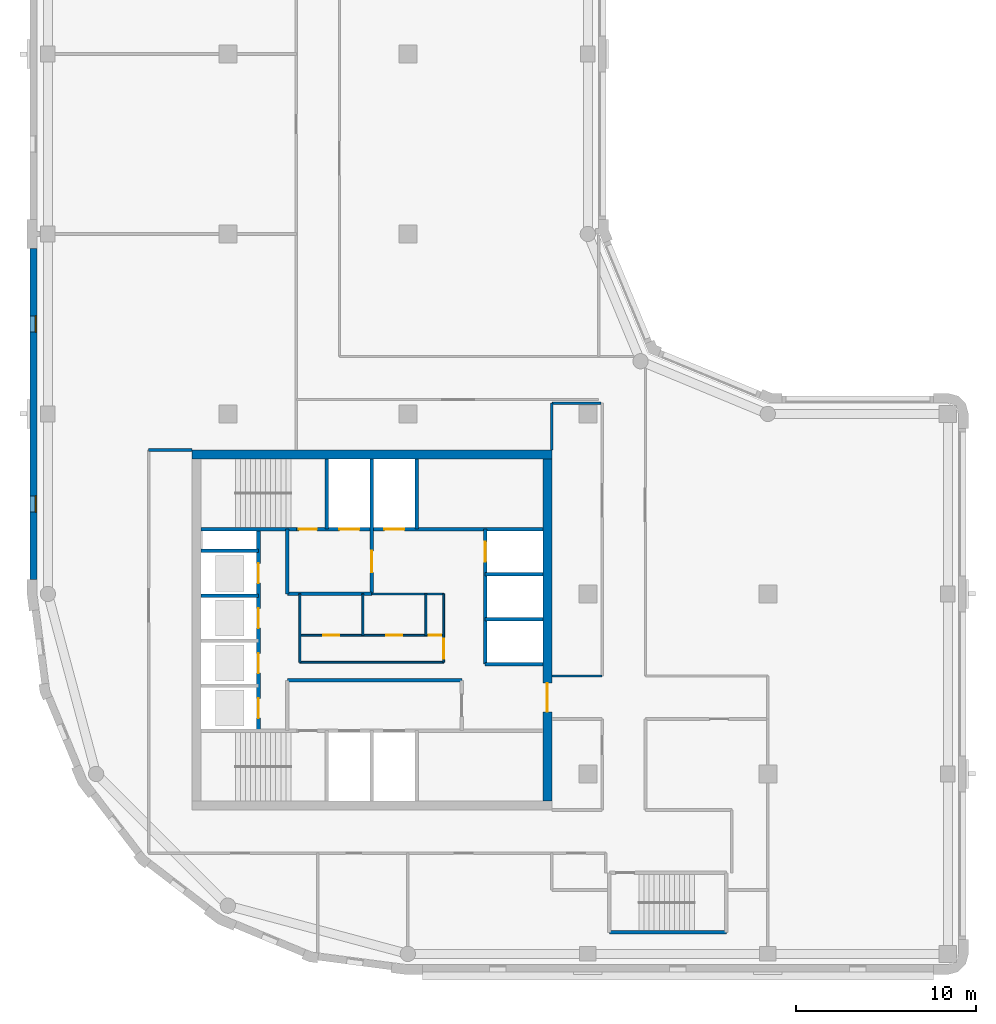
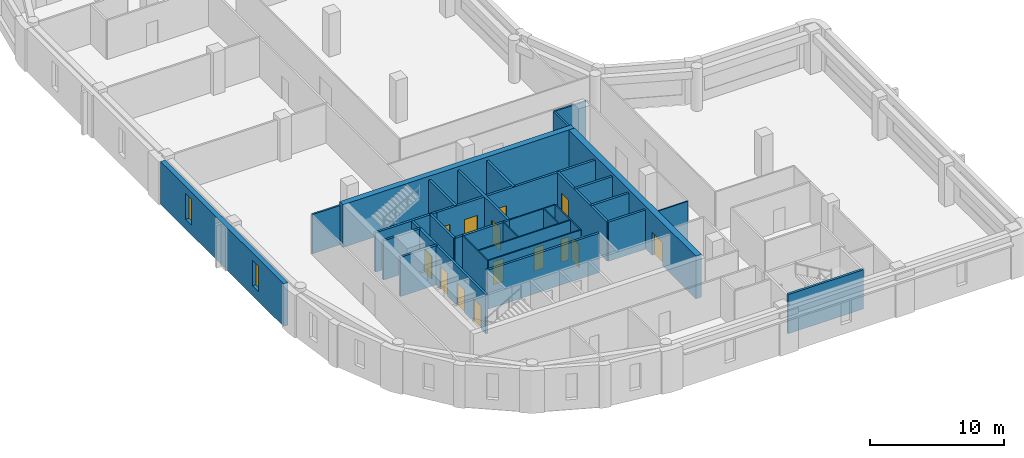
# One storey, part 3 of 9: 30 walls, 14 doors, 2 windows, 16 openings.
"""IFC4 building model written with IfcOpenShell, lengths in metres."""

from ifc_helpers import new_model, si_unit, direction, frame, frame_2d, origin, place, context, subcontext, project, spatial, rectangle, extrude, material, layer, layer_set, type_object, element, fill, save


model = new_model("IFC4")

# Units and contexts
model_context = context("Model", 3, precision=1e-05, world=origin(), true_north=direction((0.0, 1.0)))
body_context = subcontext(model_context, "Body", "Model", "MODEL_VIEW")
ifc_project = project(units=[si_unit("LENGTHUNIT", "METRE"), si_unit("AREAUNIT", "SQUARE_METRE"), si_unit("VOLUMEUNIT", "CUBIC_METRE"), si_unit("PLANEANGLEUNIT", "RADIAN"), si_unit("MASSUNIT", "GRAM", prefix="KILO")], contexts=[model_context])

# Site, building, storey
site_placement = place(None, origin())
site = spatial("IfcSite", under=ifc_project, at=site_placement, CompositionType="ELEMENT")
building_placement = place(site_placement, origin())
building = spatial("IfcBuilding", under=site, at=building_placement, Name="Qaws Garden Tower", CompositionType="ELEMENT")
storey_placement = place(building_placement, frame((0.0, 0.0, 251.39990234375)))
storey = spatial("IfcBuildingStorey", under=building, at=storey_placement, Name="L60", CompositionType="ELEMENT", Elevation=251.39990234375)

# Wall, openings, windows
ifc_material_1 = material(Name="Clay facing brick masonry", Category="masonry")
ifc_layer_1 = layer(ifc_material_1, 0.39990234375)
ifc_layer_set_1 = layer_set([ifc_layer_1], Name="Clay facing brick masonry")
wall_type_1 = type_object("IfcWallType", Name="Brick infill wall 400", PredefinedType="SOLIDWALL", material=ifc_layer_set_1)
wall_1_placement = place(storey_placement, frame((-0.800048828125, 39.199951171875, 0.0), z_axis=(0.0, 0.0, 1.0), x_axis=(0.0, -1.0, 0.0)))
wall_1 = element("IfcWall", 1, at=wall_1_placement, inside=storey, type_object=wall_type_1, Name="E-L60-infill-21", PredefinedType="SOLIDWALL", context=body_context, shape_type="SweptSolid", body=[
    extrude(rectangle(XDim=18.39990234375, YDim=0.39990234375, at=frame_2d((9.199951171875, 0.0))), origin(), (0.0, 0.0, 1.0), 3.900146484375),
])
opening_1_placement = place(wall_1_placement, frame((3.75, 0.0, 0.89990234375)))
opening_1 = element("IfcOpeningElement", 2, at=opening_1_placement, cuts=wall_1, Name="Opening W09", PredefinedType="OPENING", context=body_context, shape_type="SweptSolid", body=[
    extrude(rectangle(XDim=0.89990234375, YDim=2.35009765625, at=frame_2d((0.449951171875, 1.175048828125))), frame((0.0, 0.2099609375, 0.0), z_axis=(0.0, -1.0, 0.0), x_axis=(1.0, 0.0, 0.0)), (0.0, 0.0, 1.0), 0.419921875),
])
opening_2_placement = place(wall_1_placement, frame((13.75, 0.0, 0.89990234375)))
opening_2 = element("IfcOpeningElement", 3, at=opening_2_placement, cuts=wall_1, Name="Opening W09", PredefinedType="OPENING", context=body_context, shape_type="SweptSolid", body=[
    extrude(rectangle(XDim=0.89990234375, YDim=2.35009765625, at=frame_2d((0.449951171875, 1.175048828125))), frame((0.0, 0.2099609375, 0.0), z_axis=(0.0, -1.0, 0.0), x_axis=(1.0, 0.0, 0.0)), (0.0, 0.0, 1.0), 0.419921875),
])
ifc_material_2 = material(Name="Aluminium framed window, clear glazing", Category="aluminium")
window_type = type_object("IfcWindowType", Name="Slit window 900 x 2350", PartitioningType="SINGLE_PANEL", PredefinedType="WINDOW", material=ifc_material_2)
window_1_placement = place(opening_1_placement, origin())
window_1 = element("IfcWindow", 4, at=window_1_placement, inside=storey, type_object=window_type, Name="E-L60-window-21-0", OverallHeight=2.35009765625, OverallWidth=0.89990234375, PartitioningType="SINGLE_PANEL", PredefinedType="WINDOW", context=body_context, shape_type="SweptSolid", body=[
    extrude(rectangle(XDim=0.89990234375, YDim=2.35009765625, at=frame_2d((0.449951171875, 1.175048828125))), frame((0.0, 0.159912109375, 0.0), z_axis=(0.0, -1.0, 0.0), x_axis=(1.0, 0.0, 0.0)), (0.0, 0.0, 1.0), 0.06005859375),
])
fill(opening_1, window_1)
window_2_placement = place(opening_2_placement, origin())
window_2 = element("IfcWindow", 5, at=window_2_placement, inside=storey, type_object=window_type, Name="E-L60-window-22-0", OverallHeight=2.35009765625, OverallWidth=0.89990234375, PartitioningType="SINGLE_PANEL", PredefinedType="WINDOW", context=body_context, shape_type="SweptSolid", body=[
    extrude(rectangle(XDim=0.89990234375, YDim=2.35009765625, at=frame_2d((0.449951171875, 1.175048828125))), frame((0.0, 0.159912109375, 0.0), z_axis=(0.0, -1.0, 0.0), x_axis=(1.0, 0.0, 0.0)), (0.0, 0.0, 1.0), 0.06005859375),
])
fill(opening_2, window_2)

# Wall
ifc_material_3 = material(Name="Plasterboard")
ifc_layer_2 = layer(ifc_material_3, 0.10009765625)
ifc_layer_set_2 = layer_set([ifc_layer_2], Name="Plasterboard")
wall_type_2 = type_object("IfcWallType", Name="Core partition 100", PredefinedType="PARTITIONING", material=ifc_layer_set_2)
wall_2_placement = place(storey_placement, frame((14.0, 16.199951171875, 0.0), z_axis=(0.0, 0.0, 1.0), x_axis=(1.0, 0.0, 0.0)))
element("IfcWall", 6, at=wall_2_placement, inside=storey, type_object=wall_type_2, Name="Core partition", PredefinedType="PARTITIONING", context=body_context, shape_type="SweptSolid", body=[
    extrude(rectangle(XDim=8.0, YDim=0.10009765625, at=frame_2d((4.0, 0.0))), origin(), (0.0, 0.0, 1.0), 3.580078125),
])

# Wall, openings, doors
wall_3_placement = place(storey_placement, frame((14.0, 17.699951171875, 0.0), z_axis=(0.0, 0.0, 1.0), x_axis=(1.0, 0.0, 0.0)))
wall_3 = element("IfcWall", 7, at=wall_3_placement, inside=storey, type_object=wall_type_2, Name="Core partition", PredefinedType="PARTITIONING", context=body_context, shape_type="SweptSolid", body=[
    extrude(rectangle(XDim=8.0, YDim=0.10009765625, at=frame_2d((4.0, 0.0))), origin(), (0.0, 0.0, 1.0), 3.580078125),
])
opening_3_placement = place(wall_3_placement, frame((1.300048828125, 0.0, 0.0)))
opening_3 = element("IfcOpeningElement", 8, at=opening_3_placement, cuts=wall_3, Name="Opening WD18", PredefinedType="OPENING", context=body_context, shape_type="SweptSolid", body=[
    extrude(rectangle(XDim=0.89990234375, YDim=2.10009765625, at=frame_2d((0.449951171875, 1.050048828125))), frame((0.0, 0.06005859375, 0.0), z_axis=(0.0, -1.0, 0.0), x_axis=(1.0, 0.0, 0.0)), (0.0, 0.0, 1.0), 0.1201171875),
])
opening_4_placement = place(wall_3_placement, frame((4.800048828125, 0.0, 0.0)))
opening_4 = element("IfcOpeningElement", 9, at=opening_4_placement, cuts=wall_3, Name="Opening WD19", PredefinedType="OPENING", context=body_context, shape_type="SweptSolid", body=[
    extrude(rectangle(XDim=0.89990234375, YDim=2.10009765625, at=frame_2d((0.449951171875, 1.050048828125))), frame((0.0, 0.06005859375, 0.0), z_axis=(0.0, -1.0, 0.0), x_axis=(1.0, 0.0, 0.0)), (0.0, 0.0, 1.0), 0.1201171875),
])
opening_5_placement = place(wall_3_placement, frame((7.14990234375, 0.0, 0.0)))
opening_5 = element("IfcOpeningElement", 10, at=opening_5_placement, cuts=wall_3, Name="Opening XD20", PredefinedType="OPENING", context=body_context, shape_type="SweptSolid", body=[
    extrude(rectangle(XDim=0.699951171875, YDim=2.10009765625, at=frame_2d((0.35009765625, 1.050048828125))), frame((0.0, 0.06005859375, 0.0), z_axis=(0.0, -1.0, 0.0), x_axis=(1.0, 0.0, 0.0)), (0.0, 0.0, 1.0), 0.1201171875),
])
ifc_material_4 = material(Name="Timber", Category="wood")
door_type_1 = type_object("IfcDoorType", Name="Store door 700x2100", OperationType="SINGLE_SWING_LEFT", PredefinedType="DOOR", material=ifc_material_4)
door_1_placement = place(opening_5_placement, origin())
door_1 = element("IfcDoor", 11, at=door_1_placement, inside=storey, type_object=door_type_1, Name="Cleaner's store door", OperationType="SINGLE_SWING_RIGHT", OverallHeight=2.10009765625, OverallWidth=0.699951171875, PredefinedType="DOOR", context=body_context, shape_type="SweptSolid", body=[
    extrude(rectangle(XDim=0.699951171875, YDim=2.10009765625, at=frame_2d((0.35009765625, 1.050048828125))), frame((0.0, 0.02490234375, 0.0), z_axis=(0.0, -1.0, 0.0), x_axis=(1.0, 0.0, 0.0)), (0.0, 0.0, 1.0), 0.050048828125),
])
fill(opening_5, door_1)
ifc_material_5 = material(Name="Timber", Category="wood")
door_type_2 = type_object("IfcDoorType", Name="WC door 900x2100", OperationType="SINGLE_SWING_LEFT", PredefinedType="DOOR", material=ifc_material_5)
door_2_placement = place(opening_3_placement, origin())
door_2 = element("IfcDoor", 12, at=door_2_placement, inside=storey, type_object=door_type_2, Name="Men's WC door", OperationType="SINGLE_SWING_RIGHT", OverallHeight=2.10009765625, OverallWidth=0.89990234375, PredefinedType="DOOR", context=body_context, shape_type="SweptSolid", body=[
    extrude(rectangle(XDim=0.89990234375, YDim=2.10009765625, at=frame_2d((0.449951171875, 1.050048828125))), frame((0.0, 0.02490234375, 0.0), z_axis=(0.0, -1.0, 0.0), x_axis=(1.0, 0.0, 0.0)), (0.0, 0.0, 1.0), 0.050048828125),
])
fill(opening_3, door_2)
door_3_placement = place(opening_4_placement, origin())
door_3 = element("IfcDoor", 13, at=door_3_placement, inside=storey, type_object=door_type_2, Name="Women's WC door", OperationType="SINGLE_SWING_RIGHT", OverallHeight=2.10009765625, OverallWidth=0.89990234375, PredefinedType="DOOR", context=body_context, shape_type="SweptSolid", body=[
    extrude(rectangle(XDim=0.89990234375, YDim=2.10009765625, at=frame_2d((0.449951171875, 1.050048828125))), frame((0.0, 0.02490234375, 0.0), z_axis=(0.0, -1.0, 0.0), x_axis=(1.0, 0.0, 0.0)), (0.0, 0.0, 1.0), 0.050048828125),
])
fill(opening_4, door_3)

# Walls
wall_4_placement = place(storey_placement, frame((18.0, 20.0, 0.0), z_axis=(0.0, 0.0, 1.0), x_axis=(1.0, 0.0, 0.0)))
element("IfcWall", 14, at=wall_4_placement, inside=storey, type_object=wall_type_2, Name="Core partition", PredefinedType="PARTITIONING", context=body_context, shape_type="SweptSolid", body=[
    extrude(rectangle(XDim=4.0, YDim=0.10009765625, at=frame_2d((2.0, 0.0))), origin(), (0.0, 0.0, 1.0), 3.580078125),
])
wall_5_placement = place(storey_placement, frame((14.0, 16.199951171875, 0.0), z_axis=(0.0, 0.0, 1.0), x_axis=(0.0, 1.0, 0.0)))
element("IfcWall", 15, at=wall_5_placement, inside=storey, type_object=wall_type_2, Name="Core partition", PredefinedType="PARTITIONING", context=body_context, shape_type="SweptSolid", body=[
    extrude(rectangle(XDim=3.800048828125, YDim=0.10009765625, at=frame_2d((1.89990234375, 0.0))), origin(), (0.0, 0.0, 1.0), 3.580078125),
])
for number, where, z_axis, x_axis, name in (
    (16, (17.5, 17.699951171875, 0.0), (0.0, 0.0, 1.0), (0.0, 1.0, 0.0), "Core partition"),
    (17, (21.0, 17.699951171875, 0.0), (0.0, 0.0, 1.0), (0.0, 1.0, 0.0), "Core partition"),
):
    element("IfcWall", number, at=place(storey_placement, frame(where, z_axis=z_axis, x_axis=x_axis)), inside=storey, type_object=wall_type_2, Name=name, PredefinedType="PARTITIONING", context=body_context, shape_type="SweptSolid", body=[
        extrude(rectangle(XDim=2.300048828125, YDim=0.10009765625, at=frame_2d((1.14990234375, 0.0))), origin(), (0.0, 0.0, 1.0), 3.580078125),
    ])

# Wall, opening, door
wall_6_placement = place(storey_placement, frame((22.0, 16.199951171875, 0.0), z_axis=(0.0, 0.0, 1.0), x_axis=(0.0, 1.0, 0.0)))
wall_6 = element("IfcWall", 18, at=wall_6_placement, inside=storey, type_object=wall_type_2, Name="Core partition", PredefinedType="PARTITIONING", context=body_context, shape_type="SweptSolid", body=[
    extrude(rectangle(XDim=3.800048828125, YDim=0.10009765625, at=frame_2d((1.89990234375, 0.0))), origin(), (0.0, 0.0, 1.0), 3.580078125),
])
opening_6_placement = place(wall_6_placement, frame((0.199951171875, 0.0, 0.0)))
opening_6 = element("IfcOpeningElement", 19, at=opening_6_placement, cuts=wall_6, Name="Opening WL17", PredefinedType="OPENING", context=body_context, shape_type="SweptSolid", body=[
    extrude(rectangle(XDim=1.10009765625, YDim=2.10009765625, at=frame_2d((0.550048828125, 1.050048828125))), frame((0.0, 0.06005859375, 0.0), z_axis=(0.0, -1.0, 0.0), x_axis=(1.0, 0.0, 0.0)), (0.0, 0.0, 1.0), 0.1201171875),
])
ifc_material_6 = material(Name="Timber", Category="wood")
door_type_3 = type_object("IfcDoorType", Name="WC lobby door 1100x2100", OperationType="SINGLE_SWING_LEFT", PredefinedType="DOOR", material=ifc_material_6)
door_4_placement = place(opening_6_placement, origin())
door_4 = element("IfcDoor", 20, at=door_4_placement, inside=storey, type_object=door_type_3, Name="WC lobby door", OperationType="SINGLE_SWING_RIGHT", OverallHeight=2.10009765625, OverallWidth=1.10009765625, PredefinedType="DOOR", context=body_context, shape_type="SweptSolid", body=[
    extrude(rectangle(XDim=1.10009765625, YDim=2.10009765625, at=frame_2d((0.550048828125, 1.050048828125))), frame((0.0, 0.02490234375, 0.0), z_axis=(0.0, -1.0, 0.0), x_axis=(1.0, 0.0, 0.0)), (0.0, 0.0, 1.0), 0.050048828125),
])
fill(opening_6, door_4)

# Walls
ifc_material_7 = material(Name="Concrete C60", Category="concrete")
ifc_layer_3 = layer(ifc_material_7, 0.199951171875)
ifc_layer_set_3 = layer_set([ifc_layer_3], Name="Concrete C60")
wall_type_3 = type_object("IfcWallType", Name="Core shaft wall 200 C60", PredefinedType="SHEAR", material=ifc_layer_set_3)
wall_7_placement = place(storey_placement, frame((31.199951171875, 1.199951171875, 0.0), z_axis=(0.0, 0.0, 1.0), x_axis=(1.0, 0.0, 0.0)))
element("IfcWall", 21, at=wall_7_placement, inside=storey, type_object=wall_type_3, Name="Shaft wall", PredefinedType="SHEAR", context=body_context, shape_type="SweptSolid", body=[
    extrude(rectangle(XDim=6.5, YDim=0.199951171875, at=frame_2d((3.25, 0.0))), origin(), (0.0, 0.0, 1.0), 3.580078125),
])
wall_8_placement = place(storey_placement, frame((13.300048828125, 15.199951171875, 0.0), z_axis=(0.0, 0.0, 1.0), x_axis=(1.0, 0.0, 0.0)))
element("IfcWall", 22, at=wall_8_placement, inside=storey, type_object=wall_type_3, Name="Shaft wall", PredefinedType="SHEAR", context=body_context, shape_type="SweptSolid", body=[
    extrude(rectangle(XDim=9.699951171875, YDim=0.199951171875, at=frame_2d((4.85009765625, 0.0))), origin(), (0.0, 0.0, 1.0), 3.580078125),
])
for number, where, z_axis, x_axis, name in (
    (23, (24.300048828125, 16.10009765625, 0.0), (0.0, 0.0, 1.0), (1.0, 0.0, 0.0), "Shaft wall"),
    (24, (24.300048828125, 18.60009765625, 0.0), (0.0, 0.0, 1.0), (1.0, 0.0, 0.0), "Shaft wall"),
    (25, (8.5, 19.89990234375, 0.0), (0.0, 0.0, 1.0), (1.0, 0.0, 0.0), "Shaft wall"),
):
    element("IfcWall", number, at=place(storey_placement, frame(where, z_axis=z_axis, x_axis=x_axis)), inside=storey, type_object=wall_type_3, Name=name, PredefinedType="SHEAR", context=body_context, shape_type="SweptSolid", body=[
        extrude(rectangle(XDim=3.199951171875, YDim=0.199951171875, at=frame_2d((1.60009765625, 0.0))), origin(), (0.0, 0.0, 1.0), 3.580078125),
    ])
wall_9_placement = place(storey_placement, frame((13.300048828125, 20.0, 0.0), z_axis=(0.0, 0.0, 1.0), x_axis=(1.0, 0.0, 0.0)))
element("IfcWall", 26, at=wall_9_placement, inside=storey, type_object=wall_type_3, Name="Shaft wall", PredefinedType="SHEAR", context=body_context, shape_type="SweptSolid", body=[
    extrude(rectangle(XDim=4.699951171875, YDim=0.199951171875, at=frame_2d((2.35009765625, 0.0))), origin(), (0.0, 0.0, 1.0), 3.580078125),
])
for number, where, z_axis, x_axis, name in (
    (27, (24.300048828125, 21.10009765625, 0.0), (0.0, 0.0, 1.0), (1.0, 0.0, 0.0), "Shaft wall"),
    (28, (8.5, 22.39990234375, 0.0), (0.0, 0.0, 1.0), (1.0, 0.0, 0.0), "Shaft wall"),
):
    element("IfcWall", number, at=place(storey_placement, frame(where, z_axis=z_axis, x_axis=x_axis)), inside=storey, type_object=wall_type_3, Name=name, PredefinedType="SHEAR", context=body_context, shape_type="SweptSolid", body=[
        extrude(rectangle(XDim=3.199951171875, YDim=0.199951171875, at=frame_2d((1.60009765625, 0.0))), origin(), (0.0, 0.0, 1.0), 3.580078125),
    ])
wall_10_placement = place(storey_placement, frame((8.5, 23.60009765625, 0.0), z_axis=(0.0, 0.0, 1.0), x_axis=(1.0, 0.0, 0.0)))
element("IfcWall", 29, at=wall_10_placement, inside=storey, type_object=wall_type_3, Name="Shaft wall", PredefinedType="SHEAR", context=body_context, shape_type="SweptSolid", body=[
    extrude(rectangle(XDim=5.300048828125, YDim=0.199951171875, at=frame_2d((2.64990234375, 0.0))), origin(), (0.0, 0.0, 1.0), 3.580078125),
])

# Wall, openings, doors
wall_11_placement = place(storey_placement, frame((13.800048828125, 23.60009765625, 0.0), z_axis=(0.0, 0.0, 1.0), x_axis=(1.0, 0.0, 0.0)))
wall_11 = element("IfcWall", 30, at=wall_11_placement, inside=storey, type_object=wall_type_3, Name="Shaft wall", PredefinedType="SHEAR", context=body_context, shape_type="SweptSolid", body=[
    extrude(rectangle(XDim=13.699951171875, YDim=0.199951171875, at=frame_2d((6.85009765625, 0.0))), origin(), (0.0, 0.0, 1.0), 3.580078125),
])
opening_7_placement = place(wall_11_placement, frame((2.39990234375, 0.0, 0.0)))
opening_7 = element("IfcOpeningElement", 31, at=opening_7_placement, cuts=wall_11, Name="Opening LD08", PredefinedType="OPENING", context=body_context, shape_type="SweptSolid", body=[
    extrude(rectangle(XDim=1.10009765625, YDim=2.10009765625, at=frame_2d((0.550048828125, 1.050048828125))), frame((0.0, 0.10986328125, 0.0), z_axis=(0.0, -1.0, 0.0), x_axis=(1.0, 0.0, 0.0)), (0.0, 0.0, 1.0), 0.219970703125),
])
opening_8_placement = place(wall_11_placement, frame((4.89990234375, 0.0, 0.0)))
opening_8 = element("IfcOpeningElement", 32, at=opening_8_placement, cuts=wall_11, Name="Opening LD09", PredefinedType="OPENING", context=body_context, shape_type="SweptSolid", body=[
    extrude(rectangle(XDim=1.10009765625, YDim=2.10009765625, at=frame_2d((0.550048828125, 1.050048828125))), frame((0.0, 0.10986328125, 0.0), z_axis=(0.0, -1.0, 0.0), x_axis=(1.0, 0.0, 0.0)), (0.0, 0.0, 1.0), 0.219970703125),
])
opening_9_placement = place(wall_11_placement, frame((0.14990234375, 0.0, 0.0)))
opening_9 = element("IfcOpeningElement", 33, at=opening_9_placement, cuts=wall_11, Name="Opening SD11", PredefinedType="OPENING", context=body_context, shape_type="SweptSolid", body=[
    extrude(rectangle(XDim=1.0, YDim=2.10009765625, at=frame_2d((0.5, 1.050048828125))), frame((0.0, 0.10986328125, 0.0), z_axis=(0.0, -1.0, 0.0), x_axis=(1.0, 0.0, 0.0)), (0.0, 0.0, 1.0), 0.219970703125),
])
ifc_material_8 = material(Name="Steel S235", Category="steel")
door_type_4 = type_object("IfcDoorType", Name="Landing door 1100x2100", OperationType="DOUBLE_DOOR_SLIDING", PredefinedType="DOOR", material=ifc_material_8)
door_5_placement = place(opening_7_placement, origin())
door_5 = element("IfcDoor", 34, at=door_5_placement, inside=storey, type_object=door_type_4, Name="Lift FF3 landing door", OperationType="DOUBLE_DOOR_SLIDING", OverallHeight=2.10009765625, OverallWidth=1.10009765625, PredefinedType="DOOR", context=body_context, shape_type="SweptSolid", body=[
    extrude(rectangle(XDim=1.10009765625, YDim=2.10009765625, at=frame_2d((0.550048828125, 1.050048828125))), frame((0.0, 0.02490234375, 0.0), z_axis=(0.0, -1.0, 0.0), x_axis=(1.0, 0.0, 0.0)), (0.0, 0.0, 1.0), 0.050048828125),
])
fill(opening_7, door_5)
door_6_placement = place(opening_8_placement, origin())
door_6 = element("IfcDoor", 35, at=door_6_placement, inside=storey, type_object=door_type_4, Name="Lift SV2 landing door", OperationType="DOUBLE_DOOR_SLIDING", OverallHeight=2.10009765625, OverallWidth=1.10009765625, PredefinedType="DOOR", context=body_context, shape_type="SweptSolid", body=[
    extrude(rectangle(XDim=1.10009765625, YDim=2.10009765625, at=frame_2d((0.550048828125, 1.050048828125))), frame((0.0, 0.02490234375, 0.0), z_axis=(0.0, -1.0, 0.0), x_axis=(1.0, 0.0, 0.0)), (0.0, 0.0, 1.0), 0.050048828125),
])
fill(opening_8, door_6)
ifc_material_9 = material(Name="Steel S235", Category="steel")
door_type_5 = type_object("IfcDoorType", Name="Stair door 1000x2100", OperationType="SINGLE_SWING_RIGHT", PredefinedType="DOOR", material=ifc_material_9)
door_7_placement = place(opening_9_placement, origin())
door_7 = element("IfcDoor", 36, at=door_7_placement, inside=storey, type_object=door_type_5, Name="Stair 4 door", OperationType="SINGLE_SWING_RIGHT", OverallHeight=2.10009765625, OverallWidth=1.0, PredefinedType="DOOR", context=body_context, shape_type="SweptSolid", body=[
    extrude(rectangle(XDim=1.0, YDim=2.10009765625, at=frame_2d((0.5, 1.050048828125))), frame((0.0, 0.02490234375, 0.0), z_axis=(0.0, -1.0, 0.0), x_axis=(1.0, 0.0, 0.0)), (0.0, 0.0, 1.0), 0.050048828125),
])
fill(opening_9, door_7)

wall_12_placement = place(storey_placement, frame((11.699951171875, 12.39990234375, 0.0), z_axis=(0.0, 0.0, 1.0), x_axis=(0.0, 1.0, 0.0)))
wall_12 = element("IfcWall", 37, at=wall_12_placement, inside=storey, type_object=wall_type_3, Name="Shaft wall", PredefinedType="SHEAR", context=body_context, shape_type="SweptSolid", body=[
    extrude(rectangle(XDim=11.2001953125, YDim=0.199951171875, at=frame_2d((5.60009765625, 0.0))), origin(), (0.0, 0.0, 1.0), 3.580078125),
])
opening_10_placement = place(wall_12_placement, frame((0.699951171875, 0.0, 0.0)))
opening_10 = element("IfcOpeningElement", 38, at=opening_10_placement, cuts=wall_12, Name="Opening LD01", PredefinedType="OPENING", context=body_context, shape_type="SweptSolid", body=[
    extrude(rectangle(XDim=1.10009765625, YDim=2.10009765625, at=frame_2d((0.550048828125, 1.050048828125))), frame((0.0, 0.10986328125, 0.0), z_axis=(0.0, -1.0, 0.0), x_axis=(1.0, 0.0, 0.0)), (0.0, 0.0, 1.0), 0.219970703125),
])
opening_11_placement = place(wall_12_placement, frame((3.199951171875, 0.0, 0.0)))
opening_11 = element("IfcOpeningElement", 39, at=opening_11_placement, cuts=wall_12, Name="Opening LD02", PredefinedType="OPENING", context=body_context, shape_type="SweptSolid", body=[
    extrude(rectangle(XDim=1.10009765625, YDim=2.10009765625, at=frame_2d((0.550048828125, 1.050048828125))), frame((0.0, 0.10986328125, 0.0), z_axis=(0.0, -1.0, 0.0), x_axis=(1.0, 0.0, 0.0)), (0.0, 0.0, 1.0), 0.219970703125),
])
opening_12_placement = place(wall_12_placement, frame((5.699951171875, 0.0, 0.0)))
opening_12 = element("IfcOpeningElement", 40, at=opening_12_placement, cuts=wall_12, Name="Opening LD03", PredefinedType="OPENING", context=body_context, shape_type="SweptSolid", body=[
    extrude(rectangle(XDim=1.10009765625, YDim=2.10009765625, at=frame_2d((0.550048828125, 1.050048828125))), frame((0.0, 0.10986328125, 0.0), z_axis=(0.0, -1.0, 0.0), x_axis=(1.0, 0.0, 0.0)), (0.0, 0.0, 1.0), 0.219970703125),
])
opening_13_placement = place(wall_12_placement, frame((8.199951171875, 0.0, 0.0)))
opening_13 = element("IfcOpeningElement", 41, at=opening_13_placement, cuts=wall_12, Name="Opening LD04", PredefinedType="OPENING", context=body_context, shape_type="SweptSolid", body=[
    extrude(rectangle(XDim=1.10009765625, YDim=2.10009765625, at=frame_2d((0.550048828125, 1.050048828125))), frame((0.0, 0.10986328125, 0.0), z_axis=(0.0, -1.0, 0.0), x_axis=(1.0, 0.0, 0.0)), (0.0, 0.0, 1.0), 0.219970703125),
])
door_8_placement = place(opening_10_placement, origin())
door_8 = element("IfcDoor", 42, at=door_8_placement, inside=storey, type_object=door_type_4, Name="Lift W1 landing door", OperationType="DOUBLE_DOOR_SLIDING", OverallHeight=2.10009765625, OverallWidth=1.10009765625, PredefinedType="DOOR", context=body_context, shape_type="SweptSolid", body=[
    extrude(rectangle(XDim=1.10009765625, YDim=2.10009765625, at=frame_2d((0.550048828125, 1.050048828125))), frame((0.0, 0.02490234375, 0.0), z_axis=(0.0, -1.0, 0.0), x_axis=(1.0, 0.0, 0.0)), (0.0, 0.0, 1.0), 0.050048828125),
])
fill(opening_10, door_8)
door_9_placement = place(opening_11_placement, origin())
door_9 = element("IfcDoor", 43, at=door_9_placement, inside=storey, type_object=door_type_4, Name="Lift W2 landing door", OperationType="DOUBLE_DOOR_SLIDING", OverallHeight=2.10009765625, OverallWidth=1.10009765625, PredefinedType="DOOR", context=body_context, shape_type="SweptSolid", body=[
    extrude(rectangle(XDim=1.10009765625, YDim=2.10009765625, at=frame_2d((0.550048828125, 1.050048828125))), frame((0.0, 0.02490234375, 0.0), z_axis=(0.0, -1.0, 0.0), x_axis=(1.0, 0.0, 0.0)), (0.0, 0.0, 1.0), 0.050048828125),
])
fill(opening_11, door_9)
door_10_placement = place(opening_12_placement, origin())
door_10 = element("IfcDoor", 44, at=door_10_placement, inside=storey, type_object=door_type_4, Name="Lift W3 landing door", OperationType="DOUBLE_DOOR_SLIDING", OverallHeight=2.10009765625, OverallWidth=1.10009765625, PredefinedType="DOOR", context=body_context, shape_type="SweptSolid", body=[
    extrude(rectangle(XDim=1.10009765625, YDim=2.10009765625, at=frame_2d((0.550048828125, 1.050048828125))), frame((0.0, 0.02490234375, 0.0), z_axis=(0.0, -1.0, 0.0), x_axis=(1.0, 0.0, 0.0)), (0.0, 0.0, 1.0), 0.050048828125),
])
fill(opening_12, door_10)
door_11_placement = place(opening_13_placement, origin())
door_11 = element("IfcDoor", 45, at=door_11_placement, inside=storey, type_object=door_type_4, Name="Lift W4 landing door", OperationType="DOUBLE_DOOR_SLIDING", OverallHeight=2.10009765625, OverallWidth=1.10009765625, PredefinedType="DOOR", context=body_context, shape_type="SweptSolid", body=[
    extrude(rectangle(XDim=1.10009765625, YDim=2.10009765625, at=frame_2d((0.550048828125, 1.050048828125))), frame((0.0, 0.02490234375, 0.0), z_axis=(0.0, -1.0, 0.0), x_axis=(1.0, 0.0, 0.0)), (0.0, 0.0, 1.0), 0.050048828125),
])
fill(opening_13, door_11)

# Walls
wall_13_placement = place(storey_placement, frame((13.300048828125, 20.0, 0.0), z_axis=(0.0, 0.0, 1.0), x_axis=(0.0, 1.0, 0.0)))
element("IfcWall", 46, at=wall_13_placement, inside=storey, type_object=wall_type_3, Name="Shaft wall", PredefinedType="SHEAR", context=body_context, shape_type="SweptSolid", body=[
    extrude(rectangle(XDim=3.60009765625, YDim=0.199951171875, at=frame_2d((1.800048828125, 0.0))), origin(), (0.0, 0.0, 1.0), 3.580078125),
])
wall_14_placement = place(storey_placement, frame((15.5, 23.60009765625, 0.0), z_axis=(0.0, 0.0, 1.0), x_axis=(0.0, 1.0, 0.0)))
element("IfcWall", 47, at=wall_14_placement, inside=storey, type_object=wall_type_3, Name="Shaft wall", PredefinedType="SHEAR", context=body_context, shape_type="SweptSolid", body=[
    extrude(rectangle(XDim=3.89990234375, YDim=0.199951171875, at=frame_2d((1.949951171875, 0.0))), origin(), (0.0, 0.0, 1.0), 3.580078125),
])

# Wall, opening, door
wall_15_placement = place(storey_placement, frame((18.0, 20.0, 0.0), z_axis=(0.0, 0.0, 1.0), x_axis=(0.0, 1.0, 0.0)))
wall_15 = element("IfcWall", 48, at=wall_15_placement, inside=storey, type_object=wall_type_3, Name="Shaft wall", PredefinedType="SHEAR", context=body_context, shape_type="SweptSolid", body=[
    extrude(rectangle(XDim=7.5, YDim=0.199951171875, at=frame_2d((3.75, 0.0))), origin(), (0.0, 0.0, 1.0), 3.580078125),
])
opening_14_placement = place(wall_15_placement, frame((1.199951171875, 0.0, 0.0)))
opening_14 = element("IfcOpeningElement", 49, at=opening_14_placement, cuts=wall_15, Name="Opening FD16", PredefinedType="OPENING", context=body_context, shape_type="SweptSolid", body=[
    extrude(rectangle(XDim=1.199951171875, YDim=2.10009765625, at=frame_2d((0.60009765625, 1.050048828125))), frame((0.0, 0.10986328125, 0.0), z_axis=(0.0, -1.0, 0.0), x_axis=(1.0, 0.0, 0.0)), (0.0, 0.0, 1.0), 0.219970703125),
])
ifc_material_10 = material(Name="Steel S235", Category="steel")
door_type_6 = type_object("IfcDoorType", Name="Lobby door 1200x2100", OperationType="DOUBLE_DOOR_SINGLE_SWING", PredefinedType="DOOR", material=ifc_material_10)
door_12_placement = place(opening_14_placement, origin())
door_12 = element("IfcDoor", 50, at=door_12_placement, inside=storey, type_object=door_type_6, Name="Fire-fighting lobby door", OperationType="DOUBLE_DOOR_SINGLE_SWING", OverallHeight=2.10009765625, OverallWidth=1.199951171875, PredefinedType="DOOR", context=body_context, shape_type="SweptSolid", body=[
    extrude(rectangle(XDim=1.199951171875, YDim=2.10009765625, at=frame_2d((0.60009765625, 1.050048828125))), frame((0.0, 0.02490234375, 0.0), z_axis=(0.0, -1.0, 0.0), x_axis=(1.0, 0.0, 0.0)), (0.0, 0.0, 1.0), 0.050048828125),
])
fill(opening_14, door_12)

# Wall
wall_16_placement = place(storey_placement, frame((20.5, 23.60009765625, 0.0), z_axis=(0.0, 0.0, 1.0), x_axis=(0.0, 1.0, 0.0)))
element("IfcWall", 51, at=wall_16_placement, inside=storey, type_object=wall_type_3, Name="Shaft wall", PredefinedType="SHEAR", context=body_context, shape_type="SweptSolid", body=[
    extrude(rectangle(XDim=3.89990234375, YDim=0.199951171875, at=frame_2d((1.949951171875, 0.0))), origin(), (0.0, 0.0, 1.0), 3.580078125),
])

# Wall, opening, door
wall_17_placement = place(storey_placement, frame((24.300048828125, 16.10009765625, 0.0), z_axis=(0.0, 0.0, 1.0), x_axis=(0.0, 1.0, 0.0)))
wall_17 = element("IfcWall", 52, at=wall_17_placement, inside=storey, type_object=wall_type_3, Name="Shaft wall", PredefinedType="SHEAR", context=body_context, shape_type="SweptSolid", body=[
    extrude(rectangle(XDim=7.5, YDim=0.199951171875, at=frame_2d((3.75, 0.0))), origin(), (0.0, 0.0, 1.0), 3.580078125),
])
opening_15_placement = place(wall_17_placement, frame((5.699951171875, 0.0, 0.0)))
opening_15 = element("IfcOpeningElement", 53, at=opening_15_placement, cuts=wall_17, Name="Opening LD05", PredefinedType="OPENING", context=body_context, shape_type="SweptSolid", body=[
    extrude(rectangle(XDim=1.10009765625, YDim=2.10009765625, at=frame_2d((0.550048828125, 1.050048828125))), frame((0.0, 0.10986328125, 0.0), z_axis=(0.0, -1.0, 0.0), x_axis=(1.0, 0.0, 0.0)), (0.0, 0.0, 1.0), 0.219970703125),
])
door_13_placement = place(opening_15_placement, origin())
door_13 = element("IfcDoor", 54, at=door_13_placement, inside=storey, type_object=door_type_4, Name="Lift E3 landing door", OperationType="DOUBLE_DOOR_SLIDING", OverallHeight=2.10009765625, OverallWidth=1.10009765625, PredefinedType="DOOR", context=body_context, shape_type="SweptSolid", body=[
    extrude(rectangle(XDim=1.10009765625, YDim=2.10009765625, at=frame_2d((0.550048828125, 1.050048828125))), frame((0.0, 0.02490234375, 0.0), z_axis=(0.0, -1.0, 0.0), x_axis=(1.0, 0.0, 0.0)), (0.0, 0.0, 1.0), 0.050048828125),
])
fill(opening_15, door_13)

ifc_material_11 = material(Name="Concrete C60", Category="concrete")
ifc_layer_4 = layer(ifc_material_11, 0.5)
ifc_layer_set_4 = layer_set([ifc_layer_4], Name="Concrete C60")
wall_type_4 = type_object("IfcWallType", Name="Core wall 500 C60", PredefinedType="SHEAR", material=ifc_layer_set_4)
wall_18_placement = place(storey_placement, frame((27.75, 8.5, 0.0), z_axis=(0.0, 0.0, 1.0), x_axis=(0.0, 1.0, 0.0)))
wall_18 = element("IfcWall", 55, at=wall_18_placement, inside=storey, type_object=wall_type_4, Name="Core wall L60 east", PredefinedType="SHEAR", context=body_context, shape_type="SweptSolid", body=[
    extrude(rectangle(XDim=19.0, YDim=0.5, at=frame_2d((9.5, 0.0))), origin(), (0.0, 0.0, 1.0), 3.900146484375),
])
opening_16_placement = place(wall_18_placement, frame((4.949951171875, 0.0, 0.0)))
opening_16 = element("IfcOpeningElement", 56, at=opening_16_placement, cuts=wall_18, Name="Opening ED21", PredefinedType="OPENING", context=body_context, shape_type="SweptSolid", body=[
    extrude(rectangle(XDim=1.60009765625, YDim=2.10009765625, at=frame_2d((0.800048828125, 1.050048828125))), frame((0.0, 0.260009765625, 0.0), z_axis=(0.0, -1.0, 0.0), x_axis=(1.0, 0.0, 0.0)), (0.0, 0.0, 1.0), 0.52001953125),
])
ifc_material_12 = material(Name="Steel S235", Category="steel")
door_type_7 = type_object("IfcDoorType", Name="Core entrance door 1600x2100", OperationType="DOUBLE_DOOR_SINGLE_SWING", PredefinedType="DOOR", material=ifc_material_12)
door_14_placement = place(opening_16_placement, origin())
door_14 = element("IfcDoor", 57, at=door_14_placement, inside=storey, type_object=door_type_7, Name="Core entrance door", OperationType="DOUBLE_DOOR_SINGLE_SWING", OverallHeight=2.10009765625, OverallWidth=1.60009765625, PredefinedType="DOOR", context=body_context, shape_type="SweptSolid", body=[
    extrude(rectangle(XDim=1.60009765625, YDim=2.10009765625, at=frame_2d((0.800048828125, 1.050048828125))), frame((0.0, 0.02490234375, 0.0), z_axis=(0.0, -1.0, 0.0), x_axis=(1.0, 0.0, 0.0)), (0.0, 0.0, 1.0), 0.050048828125),
])
fill(opening_16, door_14)

# Walls
wall_19_placement = place(storey_placement, frame((28.0, 27.75, 0.0), z_axis=(0.0, 0.0, 1.0), x_axis=(-1.0, 0.0, 0.0)))
element("IfcWall", 58, at=wall_19_placement, inside=storey, type_object=wall_type_4, Name="Core wall L60 north", PredefinedType="SHEAR", context=body_context, shape_type="SweptSolid", body=[
    extrude(rectangle(XDim=20.0, YDim=0.5, at=frame_2d((10.0, 0.0))), origin(), (0.0, 0.0, 1.0), 3.900146484375),
])
ifc_material_13 = material(Name="Glass and aluminium framing", Category="aluminium")
ifc_layer_5 = layer(ifc_material_13, 0.1201171875)
ifc_layer_set_5 = layer_set([ifc_layer_5], Name="Glass and aluminium framing")
wall_type_5 = type_object("IfcWallType", Name="GLAZED PARTITION 120 EI 30", PredefinedType="PARTITIONING", material=ifc_layer_set_5)
wall_20_placement = place(storey_placement, frame((28.0, 15.449951171875, 0.0), z_axis=(0.0, 0.0, 1.0), x_axis=(1.0, 0.0, 0.0)))
element("IfcWall", 59, at=wall_20_placement, inside=storey, type_object=wall_type_5, Name="O-L60-wall-042", PredefinedType="PARTITIONING", context=body_context, shape_type="SweptSolid", body=[
    extrude(rectangle(XDim=2.800048828125, YDim=0.1201171875, at=frame_2d((1.39990234375, 0.0))), origin(), (0.0, 0.0, 1.0), 3.580078125),
])
ifc_material_14 = material(Name="Gypsum board partition")
ifc_layer_6 = layer(ifc_material_14, 0.14990234375)
ifc_layer_set_6 = layer_set([ifc_layer_6], Name="Gypsum board partition")
wall_type_6 = type_object("IfcWallType", Name="PARTITION 150 EI 60", PredefinedType="PARTITIONING", material=ifc_layer_set_6)
wall_21_placement = place(storey_placement, frame((28.0, 28.0, 0.0), z_axis=(0.0, 0.0, 1.0), x_axis=(0.0, 1.0, 0.0)))
element("IfcWall", 60, at=wall_21_placement, inside=storey, type_object=wall_type_6, Name="O-L60-wall-011", PredefinedType="PARTITIONING", context=body_context, shape_type="SweptSolid", body=[
    extrude(rectangle(XDim=2.597900390625, YDim=0.14990234375, at=frame_2d((1.298828125, 0.0))), origin(), (0.0, 0.0, 1.0), 3.580078125),
])
wall_22_placement = place(storey_placement, frame((5.60009765625, 28.0, 0.0), z_axis=(0.0, 0.0, 1.0), x_axis=(1.0, 0.0, 0.0)))
element("IfcWall", 61, at=wall_22_placement, inside=storey, type_object=wall_type_6, Name="O-L60-wall-026", PredefinedType="PARTITIONING", context=body_context, shape_type="SweptSolid", body=[
    extrude(rectangle(XDim=2.39990234375, YDim=0.14990234375, at=frame_2d((1.199951171875, 0.0))), origin(), (0.0, 0.0, 1.0), 3.580078125),
])
wall_23_placement = place(storey_placement, frame((28.001953125, 30.60009765625, 0.0), z_axis=(0.0, 0.0, 1.0), x_axis=(1.0, 0.0, 0.0)))
element("IfcWall", 62, at=wall_23_placement, inside=storey, type_object=wall_type_6, Name="O-L60-wall-027", PredefinedType="PARTITIONING", context=body_context, shape_type="SweptSolid", body=[
    extrude(rectangle(XDim=2.738037109375, YDim=0.14990234375, at=frame_2d((1.369140625, 0.0))), origin(), (0.0, 0.0, 1.0), 3.580078125),
])

save(model, "model.ifc")
